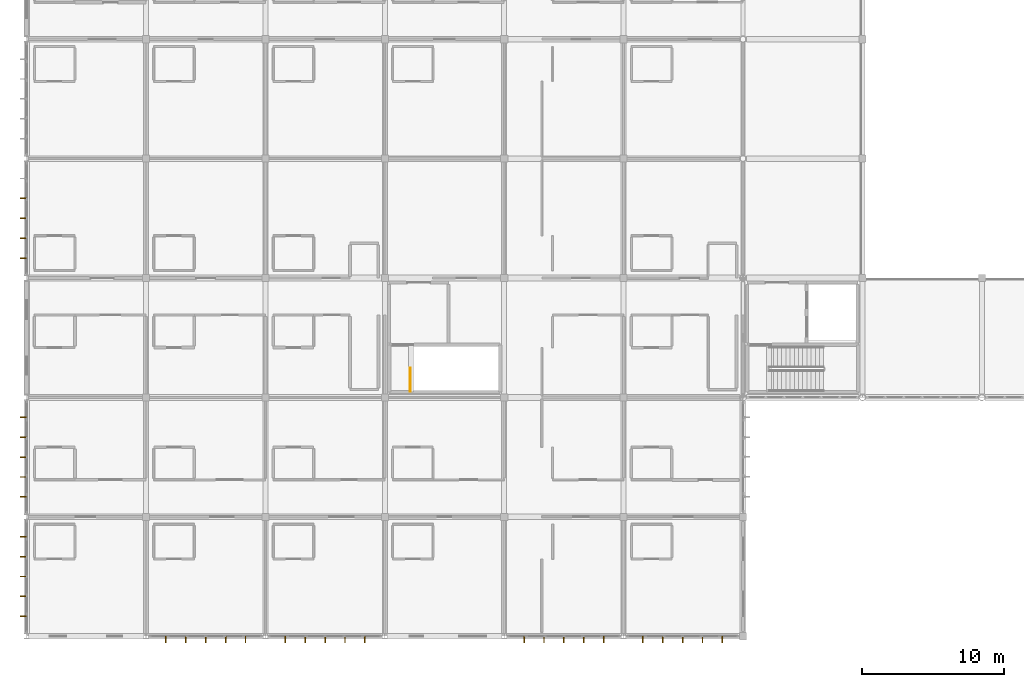
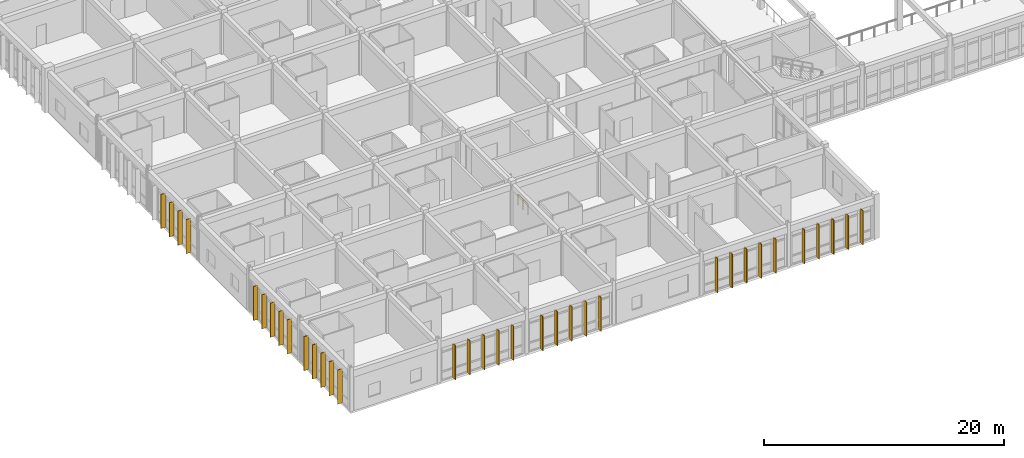
# One storey, part 124 of 144: 34 shading devices, 1 railing.
"""IFC4 building model written with IfcOpenShell, lengths in metres."""

from ifc_helpers import new_model, si_unit, direction, frame, origin, origin_2d, place, context, subcontext, project, spatial, rectangle, circle, extrude, material, material_profile, profile_set, type_object, element, save


model = new_model("IFC4")

# Units and contexts
model_context = context("Model", 3, precision=1e-05, world=origin(), true_north=direction((0.0, 1.0)))
body_context = subcontext(model_context, "Body", "Model", "MODEL_VIEW")
ifc_project = project(units=[si_unit("LENGTHUNIT", "METRE"), si_unit("AREAUNIT", "SQUARE_METRE"), si_unit("VOLUMEUNIT", "CUBIC_METRE"), si_unit("PLANEANGLEUNIT", "RADIAN"), si_unit("MASSUNIT", "GRAM", prefix="KILO")], contexts=[model_context])

# Site, building, storey
site_placement = place(None, origin())
site = spatial("IfcSite", under=ifc_project, at=site_placement, CompositionType="ELEMENT")
building_placement = place(site_placement, origin())
building = spatial("IfcBuilding", under=site, at=building_placement, Name="Bramfleet General Hospital", CompositionType="ELEMENT")
storey_placement = place(building_placement, frame((0.0, 0.0, 4.800048828125)))
storey = spatial("IfcBuildingStorey", under=building, at=storey_placement, Name="L01", CompositionType="ELEMENT", Elevation=4.800048828125)

# Railing
ifc_material_1 = material(Name="Powder-coated steel stair balustrade", Category="steel")
railing_type = type_object("IfcRailingType", Name="RAIL-ST-GUARD", PredefinedType="GUARDRAIL", material=ifc_material_1)
railing_placement = place(storey_placement, frame((26.989990234375, 17.219970703125, 0.0)))
element("IfcRailing", 1, at=railing_placement, inside=storey, type_object=railing_type, Name="L01 ST-C7 top well guard 1", PredefinedType="GUARDRAIL", context=body_context, shape_type="SweptSolid", body=[
    extrude(circle(Radius=0.02392578125, at=origin_2d()), frame((0.0, 0.0, 1.076171875), z_axis=(0.0, 1.0, 0.0), x_axis=(-1.0, 0.0, 0.0)), (0.0, 0.0, 1.0), 1.659912109375),
    extrude(circle(Radius=0.02099609375, at=origin_2d()), origin(), (0.0, 0.0, 1.0), 1.052001953125),
    extrude(circle(Radius=0.02099609375, at=origin_2d()), frame((0.0, 0.830078125, 0.0)), (0.0, 0.0, 1.0), 1.052001953125),
    extrude(circle(Radius=0.02099609375, at=origin_2d()), frame((0.0, 1.659912109375, 0.0)), (0.0, 0.0, 1.0), 1.052001953125),
])

# Shading devices
ifc_material_2 = material(Name="Treated European larch timber", Category="wood")
ifc_material_profile = material_profile(ifc_material_2, rectangle(XDim=0.06494140625, YDim=0.449951171875, at=origin_2d()), Name="LARCH FIN 450x65")
ifc_profile_set = profile_set([ifc_material_profile], Name="Treated European larch timber")
shading_device_type = type_object("IfcShadingDeviceType", Name="SHD-FIN-450", PredefinedType="USERDEFINED", material=ifc_profile_set)
for number, where, z_axis, x_axis, name in (
    (2, (48.949951171875, -0.239990234375, -0.02001953125), (0.0, 0.0, 1.0), (-1.0, 0.0, 0.0), "L01 Larch Timber Shading Fin 316"),
    (3, (47.550048828125, -0.239990234375, -0.02001953125), (0.0, 0.0, 1.0), (-1.0, 0.0, 0.0), "L01 Larch Timber Shading Fin 317"),
    (4, (46.14990234375, -0.239990234375, -0.02001953125), (0.0, 0.0, 1.0), (-1.0, 0.0, 0.0), "L01 Larch Timber Shading Fin 318"),
    (5, (44.75, -0.239990234375, -0.02001953125), (0.0, 0.0, 1.0), (-1.0, 0.0, 0.0), "L01 Larch Timber Shading Fin 319"),
    (6, (43.35009765625, -0.239990234375, -0.02001953125), (0.0, 0.0, 1.0), (-1.0, 0.0, 0.0), "L01 Larch Timber Shading Fin 320"),
    (7, (40.60009765625, -0.239990234375, -0.02001953125), (0.0, 0.0, 1.0), (-1.0, 0.0, 0.0), "L01 Larch Timber Shading Fin 321"),
    (8, (39.199951171875, -0.239990234375, -0.02001953125), (0.0, 0.0, 1.0), (-1.0, 0.0, 0.0), "L01 Larch Timber Shading Fin 322"),
    (9, (37.800048828125, -0.239990234375, -0.02001953125), (0.0, 0.0, 1.0), (-1.0, 0.0, 0.0), "L01 Larch Timber Shading Fin 323"),
    (10, (36.39990234375, -0.239990234375, -0.02001953125), (0.0, 0.0, 1.0), (-1.0, 0.0, 0.0), "L01 Larch Timber Shading Fin 324"),
    (11, (35.0, -0.239990234375, -0.02001953125), (0.0, 0.0, 1.0), (-1.0, 0.0, 0.0), "L01 Larch Timber Shading Fin 325"),
    (12, (23.800048828125, -0.239990234375, -0.02001953125), (0.0, 0.0, 1.0), (-1.0, 0.0, 0.0), "L01 Larch Timber Shading Fin 326"),
    (13, (22.39990234375, -0.239990234375, -0.02001953125), (0.0, 0.0, 1.0), (-1.0, 0.0, 0.0), "L01 Larch Timber Shading Fin 327"),
    (14, (21.0, -0.239990234375, -0.02001953125), (0.0, 0.0, 1.0), (-1.0, 0.0, 0.0), "L01 Larch Timber Shading Fin 328"),
    (15, (19.60009765625, -0.239990234375, -0.02001953125), (0.0, 0.0, 1.0), (-1.0, 0.0, 0.0), "L01 Larch Timber Shading Fin 329"),
    (16, (18.199951171875, -0.239990234375, -0.02001953125), (0.0, 0.0, 1.0), (-1.0, 0.0, 0.0), "L01 Larch Timber Shading Fin 330"),
    (17, (15.39990234375, -0.239990234375, -0.02001953125), (0.0, 0.0, 1.0), (-1.0, 0.0, 0.0), "L01 Larch Timber Shading Fin 331"),
    (18, (14.0, -0.239990234375, -0.02001953125), (0.0, 0.0, 1.0), (-1.0, 0.0, 0.0), "L01 Larch Timber Shading Fin 332"),
    (19, (12.60009765625, -0.239990234375, -0.02001953125), (0.0, 0.0, 1.0), (-1.0, 0.0, 0.0), "L01 Larch Timber Shading Fin 333"),
    (20, (11.199951171875, -0.239990234375, -0.02001953125), (0.0, 0.0, 1.0), (-1.0, 0.0, 0.0), "L01 Larch Timber Shading Fin 334"),
    (21, (9.800048828125, -0.239990234375, -0.02001953125), (0.0, 0.0, 1.0), (-1.0, 0.0, 0.0), "L01 Larch Timber Shading Fin 335"),
    (22, (-0.239990234375, 1.39990234375, -0.02001953125), (0.0, 0.0, 1.0), (0.0, 1.0, 0.0), "L01 Larch Timber Shading Fin 336"),
    (23, (-0.239990234375, 2.800048828125, -0.02001953125), (0.0, 0.0, 1.0), (0.0, 1.0, 0.0), "L01 Larch Timber Shading Fin 337"),
    (24, (-0.239990234375, 4.199951171875, -0.02001953125), (0.0, 0.0, 1.0), (0.0, 1.0, 0.0), "L01 Larch Timber Shading Fin 338"),
    (25, (-0.239990234375, 5.60009765625, -0.02001953125), (0.0, 0.0, 1.0), (0.0, 1.0, 0.0), "L01 Larch Timber Shading Fin 339"),
    (26, (-0.239990234375, 7.0, -0.02001953125), (0.0, 0.0, 1.0), (0.0, 1.0, 0.0), "L01 Larch Timber Shading Fin 340"),
    (27, (-0.239990234375, 9.800048828125, -0.02001953125), (0.0, 0.0, 1.0), (0.0, 1.0, 0.0), "L01 Larch Timber Shading Fin 341"),
    (28, (-0.239990234375, 11.199951171875, -0.02001953125), (0.0, 0.0, 1.0), (0.0, 1.0, 0.0), "L01 Larch Timber Shading Fin 342"),
    (29, (-0.239990234375, 12.60009765625, -0.02001953125), (0.0, 0.0, 1.0), (0.0, 1.0, 0.0), "L01 Larch Timber Shading Fin 343"),
    (30, (-0.239990234375, 14.0, -0.02001953125), (0.0, 0.0, 1.0), (0.0, 1.0, 0.0), "L01 Larch Timber Shading Fin 344"),
    (31, (-0.239990234375, 15.39990234375, -0.02001953125), (0.0, 0.0, 1.0), (0.0, 1.0, 0.0), "L01 Larch Timber Shading Fin 345"),
    (32, (-0.239990234375, 26.60009765625, -0.02001953125), (0.0, 0.0, 1.0), (0.0, 1.0, 0.0), "L01 Larch Timber Shading Fin 346"),
    (33, (-0.239990234375, 28.0, -0.02001953125), (0.0, 0.0, 1.0), (0.0, 1.0, 0.0), "L01 Larch Timber Shading Fin 347"),
    (34, (-0.239990234375, 29.39990234375, -0.02001953125), (0.0, 0.0, 1.0), (0.0, 1.0, 0.0), "L01 Larch Timber Shading Fin 348"),
    (35, (-0.239990234375, 30.800048828125, -0.02001953125), (0.0, 0.0, 1.0), (0.0, 1.0, 0.0), "L01 Larch Timber Shading Fin 349"),
):
    element("IfcShadingDevice", number, at=place(storey_placement, frame(where, z_axis=z_axis, x_axis=x_axis)), inside=storey, type_object=shading_device_type, Name=name, ObjectType="Fin", PredefinedType="USERDEFINED", context=body_context, shape_type="SweptSolid", body=[
        extrude(rectangle(XDim=0.06494140625, YDim=0.449951171875, at=origin_2d()), origin(), (0.0, 0.0, 1.0), 3.469970703125),
    ])

save(model, "model.ifc")
